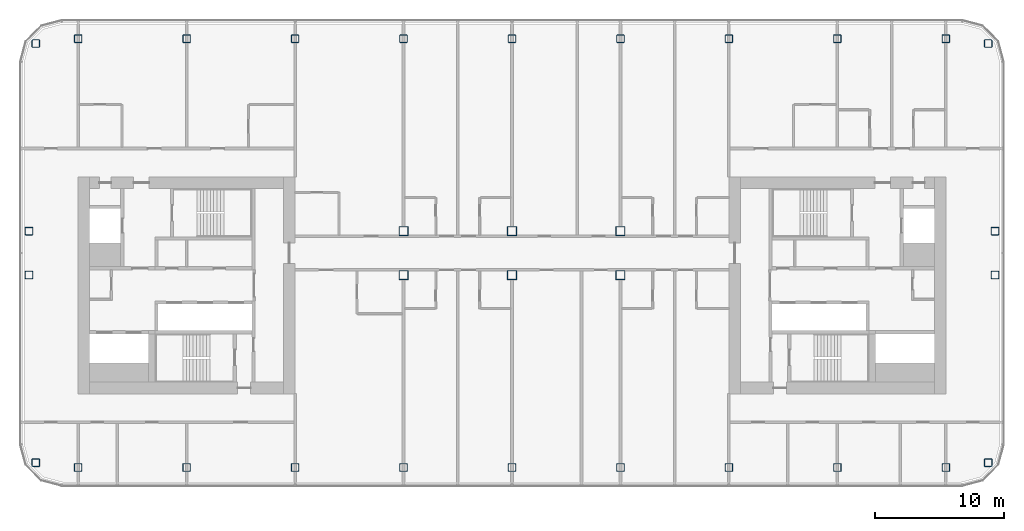
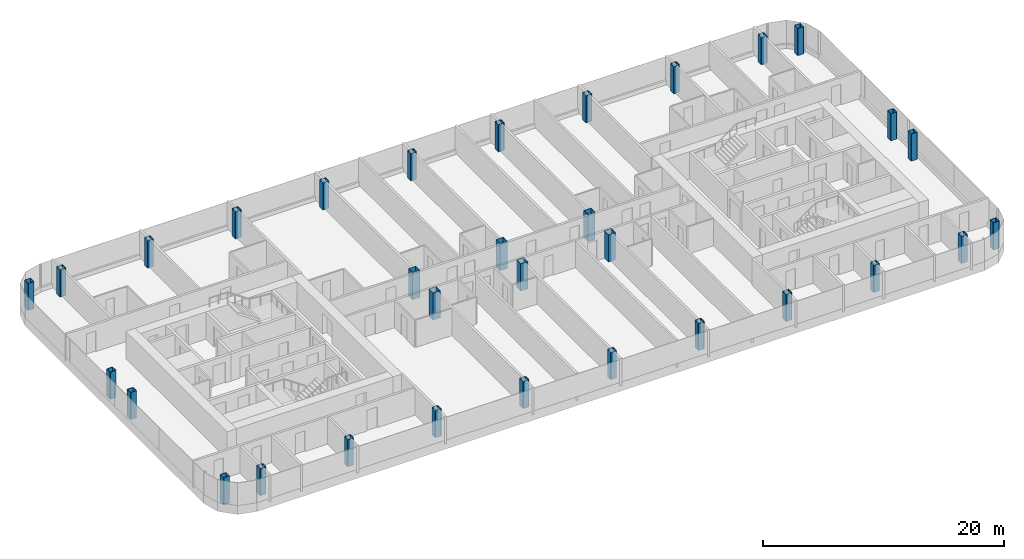
# One storey, part 1 of 26: 32 columns.
"""IFC4 building model written with IfcOpenShell, lengths in metres."""

from ifc_helpers import new_model, si_unit, direction, frame, origin, origin_2d, place, context, subcontext, project, spatial, hollow_rectangle, extrude, material, material_profile, profile_set, type_object, element, save


model = new_model("IFC4")

# Units and contexts
model_context = context("Model", 3, precision=1e-05, world=origin(), true_north=direction((0.0, 1.0)))
body_context = subcontext(model_context, "Body", "Model", "MODEL_VIEW")
ifc_project = project(units=[si_unit("LENGTHUNIT", "METRE"), si_unit("AREAUNIT", "SQUARE_METRE"), si_unit("VOLUMEUNIT", "CUBIC_METRE"), si_unit("PLANEANGLEUNIT", "RADIAN"), si_unit("MASSUNIT", "GRAM", prefix="KILO")], contexts=[model_context])

# Site, building, storey
site_placement = place(None, origin())
site = spatial("IfcSite", under=ifc_project, at=site_placement, CompositionType="ELEMENT")
building_placement = place(site_placement, origin())
building = spatial("IfcBuilding", under=site, at=building_placement, Name="Hakoniwa Tower and Hamabe Station Hall", CompositionType="ELEMENT")
storey_placement = place(building_placement, frame((0.0, 0.0, 209.0)))
storey = spatial("IfcBuildingStorey", under=building, at=storey_placement, Name="L59", CompositionType="ELEMENT", Elevation=209.0)

# Columns
ifc_material_1 = material(Name="Steel BCP325", Category="steel")
ifc_material_profile_1 = material_profile(ifc_material_1, hollow_rectangle(XDim=0.60009765625, YDim=0.60009765625, WallThickness=0.02490234375, InnerFilletRadius=0.03759765625, OuterFilletRadius=0.0625, at=origin_2d()), Name="BCP-600x600x25")
ifc_profile_set_1 = profile_set([ifc_material_profile_1], Name="Steel BCP325")
column_type_1 = type_object("IfcColumnType", Name="COLUMN BCP-600x600x25", PredefinedType="COLUMN", material=ifc_profile_set_1)
for number, where, z_axis, x_axis, name in (
    (1, (-36.877685546875, -13.728515625, 0.0), (0.0, 0.0, 1.0), (1.0, 0.0, 0.0), "Column B4-EW-A4"),
    (2, (-37.39990234375, 0.800048828125, 0.0), (0.0, 0.0, 1.0), (1.0, 0.0, 0.0), "Column B4-EW-C4"),
    (3, (-37.39990234375, 4.199951171875, 0.0), (0.0, 0.0, 1.0), (1.0, 0.0, 0.0), "Column B4-EW-D4"),
    (4, (-36.877685546875, 18.728515625, 0.0), (0.0, 0.0, 1.0), (1.0, 0.0, 0.0), "Column B4-EW-F4"),
    (5, (-33.60009765625, -14.10009765625, 0.0), (0.0, 0.0, 1.0), (1.0, 0.0, 0.0), "Column B4-3-A4"),
    (6, (-33.60009765625, 19.10009765625, 0.0), (0.0, 0.0, 1.0), (1.0, 0.0, 0.0), "Column B4-3-F4"),
    (7, (-25.199951171875, -14.10009765625, 0.0), (0.0, 0.0, 1.0), (1.0, 0.0, 0.0), "Column B4-4-A4"),
    (8, (-25.199951171875, 19.10009765625, 0.0), (0.0, 0.0, 1.0), (1.0, 0.0, 0.0), "Column B4-4-F4"),
    (9, (-16.800048828125, -14.10009765625, 0.0), (0.0, 0.0, 1.0), (1.0, 0.0, 0.0), "Column B4-5-A4"),
    (10, (-16.800048828125, 19.10009765625, 0.0), (0.0, 0.0, 1.0), (1.0, 0.0, 0.0), "Column B4-5-F4"),
    (11, (-8.39990234375, -14.10009765625, 0.0), (0.0, 0.0, 1.0), (1.0, 0.0, 0.0), "Column B4-6-A4"),
    (12, (-8.39990234375, 19.10009765625, 0.0), (0.0, 0.0, 1.0), (1.0, 0.0, 0.0), "Column B4-6-F4"),
    (13, (0.0, -14.10009765625, 0.0), (0.0, 0.0, 1.0), (1.0, 0.0, 0.0), "Column B4-7-A4"),
    (14, (0.0, 19.10009765625, 0.0), (0.0, 0.0, 1.0), (1.0, 0.0, 0.0), "Column B4-7-F4"),
    (15, (8.39990234375, -14.10009765625, 0.0), (0.0, 0.0, 1.0), (1.0, 0.0, 0.0), "Column B4-8-A4"),
    (16, (8.39990234375, 19.10009765625, 0.0), (0.0, 0.0, 1.0), (1.0, 0.0, 0.0), "Column B4-8-F4"),
    (17, (16.800048828125, -14.10009765625, 0.0), (0.0, 0.0, 1.0), (1.0, 0.0, 0.0), "Column B4-9-A4"),
    (18, (16.800048828125, 19.10009765625, 0.0), (0.0, 0.0, 1.0), (1.0, 0.0, 0.0), "Column B4-9-F4"),
    (19, (25.199951171875, -14.10009765625, 0.0), (0.0, 0.0, 1.0), (1.0, 0.0, 0.0), "Column B4-10-A4"),
    (20, (25.199951171875, 19.10009765625, 0.0), (0.0, 0.0, 1.0), (1.0, 0.0, 0.0), "Column B4-10-F4"),
    (21, (33.60009765625, -14.10009765625, 0.0), (0.0, 0.0, 1.0), (1.0, 0.0, 0.0), "Column B4-11-A4"),
    (22, (33.60009765625, 19.10009765625, 0.0), (0.0, 0.0, 1.0), (1.0, 0.0, 0.0), "Column B4-11-F4"),
    (23, (36.877685546875, -13.728515625, 0.0), (0.0, 0.0, 1.0), (1.0, 0.0, 0.0), "Column B4-EE-A4"),
    (24, (37.39990234375, 0.800048828125, 0.0), (0.0, 0.0, 1.0), (1.0, 0.0, 0.0), "Column B4-EE-C4"),
    (25, (37.39990234375, 4.199951171875, 0.0), (0.0, 0.0, 1.0), (1.0, 0.0, 0.0), "Column B4-EE-D4"),
    (26, (36.877685546875, 18.728515625, 0.0), (0.0, 0.0, 1.0), (1.0, 0.0, 0.0), "Column B4-EE-F4"),
):
    element("IfcColumn", number, at=place(storey_placement, frame(where, z_axis=z_axis, x_axis=x_axis)), inside=storey, type_object=column_type_1, Name=name, PredefinedType="COLUMN", context=body_context, shape_type="SweptSolid", body=[
        extrude(hollow_rectangle(XDim=0.60009765625, YDim=0.60009765625, WallThickness=0.02490234375, InnerFilletRadius=0.03759765625, OuterFilletRadius=0.0625, at=origin_2d()), origin(), (0.0, 0.0, 1.0), 2.75),
    ])
ifc_material_2 = material(Name="Steel SN490C", Category="steel")
ifc_material_profile_2 = material_profile(ifc_material_2, hollow_rectangle(XDim=0.699951171875, YDim=0.699951171875, WallThickness=0.028076171875, at=origin_2d()), Name="BX-700x700x28")
ifc_profile_set_2 = profile_set([ifc_material_profile_2], Name="Steel SN490C")
column_type_2 = type_object("IfcColumnType", Name="COLUMN BX-700x700x28", PredefinedType="COLUMN", material=ifc_profile_set_2)
for number, where, z_axis, x_axis, name in (
    (27, (-8.39990234375, 0.800048828125, 0.0), (0.0, 0.0, 1.0), (1.0, 0.0, 0.0), "Column B4-6-C4"),
    (28, (-8.39990234375, 4.199951171875, 0.0), (0.0, 0.0, 1.0), (1.0, 0.0, 0.0), "Column B4-6-D4"),
    (29, (0.0, 0.800048828125, 0.0), (0.0, 0.0, 1.0), (1.0, 0.0, 0.0), "Column B4-7-C4"),
    (30, (0.0, 4.199951171875, 0.0), (0.0, 0.0, 1.0), (1.0, 0.0, 0.0), "Column B4-7-D4"),
    (31, (8.39990234375, 0.800048828125, 0.0), (0.0, 0.0, 1.0), (1.0, 0.0, 0.0), "Column B4-8-C4"),
    (32, (8.39990234375, 4.199951171875, 0.0), (0.0, 0.0, 1.0), (1.0, 0.0, 0.0), "Column B4-8-D4"),
):
    element("IfcColumn", number, at=place(storey_placement, frame(where, z_axis=z_axis, x_axis=x_axis)), inside=storey, type_object=column_type_2, Name=name, PredefinedType="COLUMN", context=body_context, shape_type="SweptSolid", body=[
        extrude(hollow_rectangle(XDim=0.699951171875, YDim=0.699951171875, WallThickness=0.028076171875, at=origin_2d()), origin(), (0.0, 0.0, 1.0), 2.75),
    ])

save(model, "model.ifc")
